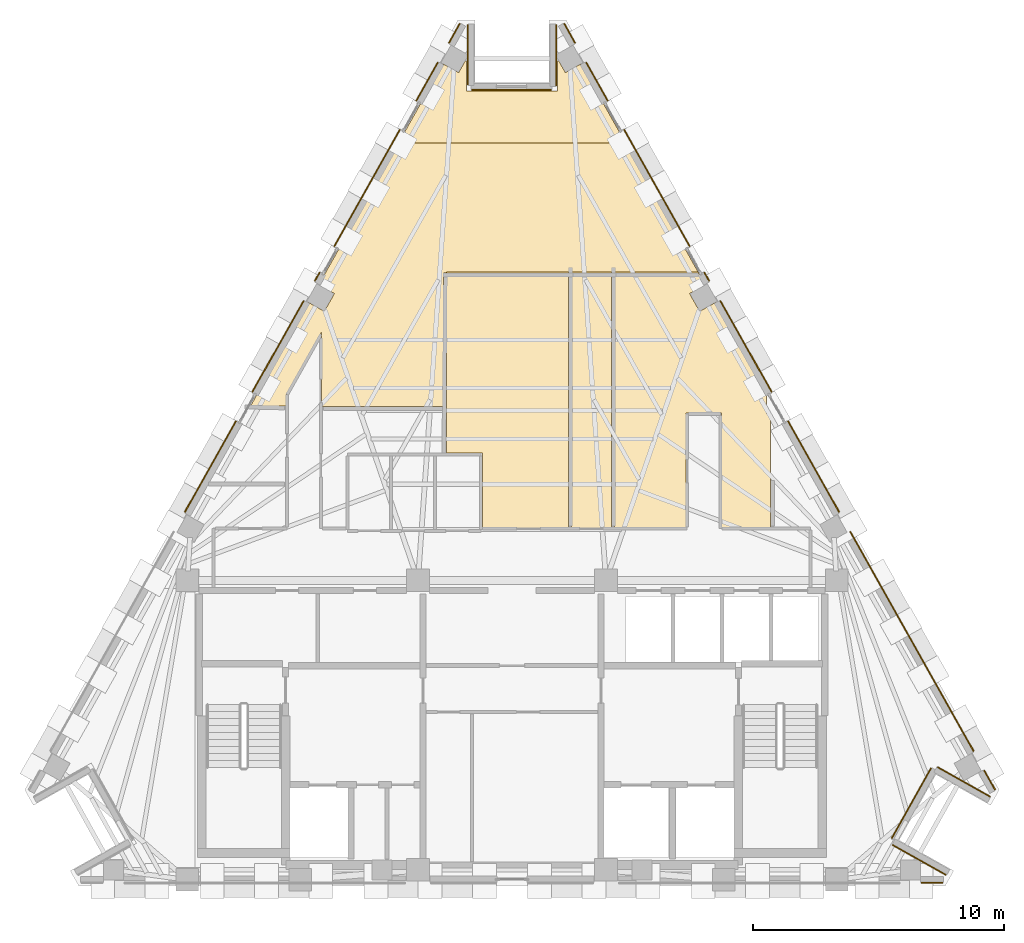
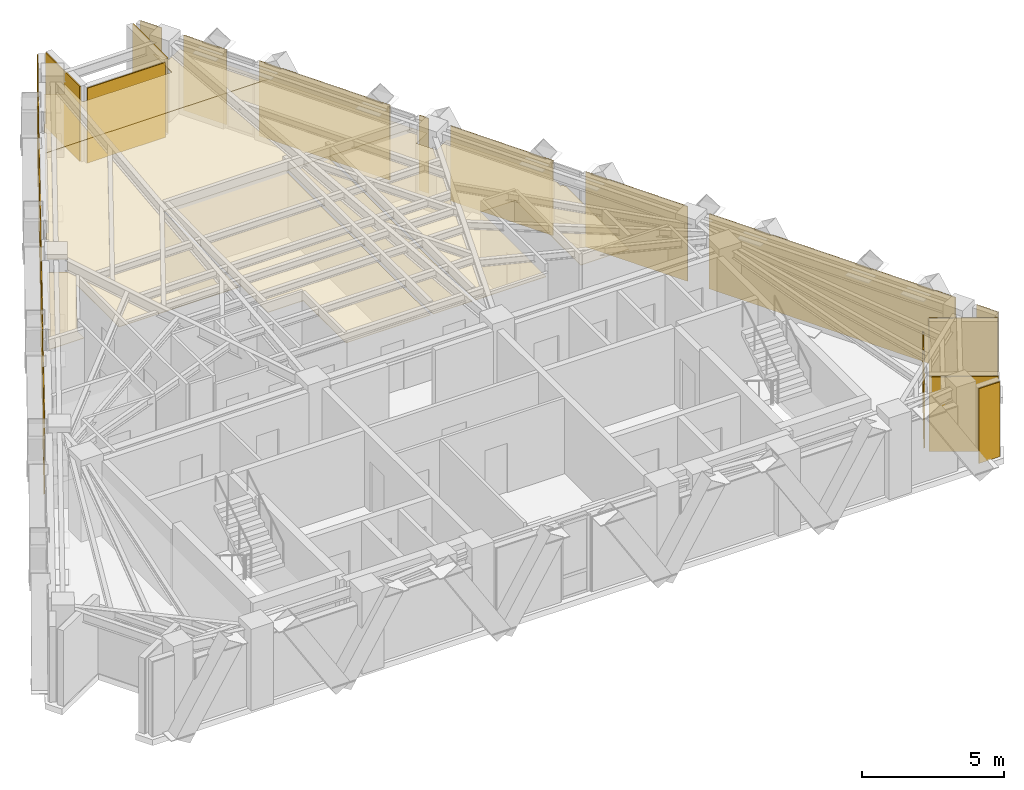
# One storey, part 9 of 9: 26 coverings.
"""IFC4 building model written with IfcOpenShell, lengths in metres."""

from ifc_helpers import new_model, si_unit, direction, frame, origin, place, context, subcontext, project, spatial, polyline, outline, extrude, material, layer, layer_set, type_object, element, save


model = new_model("IFC4")

# Units and contexts
model_context = context("Model", 3, precision=1e-05, world=origin(), true_north=direction((0.0, 1.0)))
body_context = subcontext(model_context, "Body", "Model", "MODEL_VIEW")
ifc_project = project(units=[si_unit("LENGTHUNIT", "METRE"), si_unit("AREAUNIT", "SQUARE_METRE"), si_unit("VOLUMEUNIT", "CUBIC_METRE"), si_unit("PLANEANGLEUNIT", "RADIAN"), si_unit("MASSUNIT", "GRAM", prefix="KILO")], contexts=[model_context])

# Site, building, storey
site_placement = place(None, origin())
site = spatial("IfcSite", under=ifc_project, at=site_placement, CompositionType="ELEMENT")
building_placement = place(site_placement, origin())
building = spatial("IfcBuilding", under=site, at=building_placement, Name="Quenlor Broadcast Tower", CompositionType="ELEMENT")
storey_placement = place(building_placement, frame((0.0, 0.0, 249.89990234375)))
storey = spatial("IfcBuildingStorey", under=building, at=storey_placement, Name="L69", CompositionType="ELEMENT", Elevation=249.89990234375)

# Coverings
ifc_material_1 = material(Name="Acoustic Mineral Fibre Board", Category="other")
ifc_layer_1 = layer(ifc_material_1, 0.02490234375)
ifc_layer_set_1 = layer_set([ifc_layer_1], Name="Acoustic Perforated Mineral Tile Ceiling 25")
covering_type_1 = type_object("IfcCoveringType", Name="Acoustic Perforated Mineral Tile Ceiling 25", PredefinedType="CEILING", material=ifc_layer_set_1)
covering_1_placement = place(storey_placement, frame((0.0, 0.0, 2.714599609375)))
element("IfcCovering", 1, at=covering_1_placement, inside=storey, type_object=covering_type_1, Name="L69 Acoustic Ceiling L69-24", PredefinedType="CEILING", context=body_context, shape_type="SweptSolid", body=[
    extrude(outline(polyline([(-7.48583984375, 5.93359375), (-7.0859375, 6.64501953125), (-7.711669921875, 6.996826171875), (-6.462158203125, 9.218017578125), (-4.53173828125, 12.64990234375), (4.53173828125, 12.64990234375), (7.4345703125, 7.489501953125), (7.419189453125, 7.481689453125), (7.390625, 7.472900390625), (7.361083984375, 7.469970703125), (4.080078125, 7.469970703125), (4.05078125, 7.472900390625), (4.022705078125, 7.4814453125), (4.00341796875, 7.4765625), (3.974609375, 7.470703125), (-2.6201171875, 7.469970703125), (-2.6494140625, 7.472900390625), (-2.677490234375, 7.4814453125), (-2.696533203125, 7.4765625), (-2.725341796875, 7.470703125), (-2.739990234375, 2.13720703125), (-7.60009765625, 2.13720703125), (-7.60009765625, 5.114990234375), (-9.0, 2.6259765625), (-9.0, 2.159912109375), (-10.432373046875, 2.159912109375), (-8.11181640625, 6.28564453125), (-7.48583984375, 5.93359375)])), origin(), (0.0, 0.0, 1.0), 0.025146484375),
])
covering_2_placement = place(storey_placement, frame((0.0, 0.0, 2.714599609375)))
element("IfcCovering", 2, at=covering_2_placement, inside=storey, type_object=covering_type_1, Name="L69 Acoustic Ceiling L69-24-2", PredefinedType="CEILING", context=body_context, shape_type="SweptSolid", body=[
    extrude(outline(polyline([(-2.77001953125, 15.781982421875), (-2.7548828125, 15.808837890625), (-2.129150390625, 15.456787109375), (-1.808837890625, 16.0263671875), (-1.808837890625, 14.719970703125), (1.808837890625, 14.719970703125), (1.808837890625, 16.0263671875), (2.129150390625, 15.456787109375), (2.7548828125, 15.808837890625), (4.006591796875, 13.583740234375), (4.53173828125, 12.64990234375), (-4.53173828125, 12.64990234375), (-2.77001953125, 15.781982421875)])), origin(), (0.0, 0.0, 1.0), 0.025146484375),
])
covering_3_placement = place(storey_placement, frame((0.0, 0.0, 2.714599609375)))
element("IfcCovering", 3, at=covering_3_placement, inside=storey, type_object=covering_type_1, Name="L69 Acoustic Ceiling L69-25", PredefinedType="CEILING", context=body_context, shape_type="SweptSolid", body=[
    extrude(outline(polyline([(2.24755859375, 7.5), (2.24755859375, -2.699951171875), (-1.179931640625, -2.699951171875), (-1.179931640625, 0.2900390625), (-2.6201171875, 0.2900390625), (-2.6201171875, 7.5), (2.24755859375, 7.5)])), origin(), (0.0, 0.0, 1.0), 0.025146484375),
])
covering_4_placement = place(storey_placement, frame((0.0, 0.0, 2.714599609375)))
element("IfcCovering", 4, at=covering_4_placement, inside=storey, type_object=covering_type_1, Name="L69 Acoustic Ceiling L69-26", PredefinedType="CEILING", context=body_context, shape_type="SweptSolid", body=[
    extrude(outline(polyline([(2.36767578125, 7.5), (3.9599609375, 7.5), (3.9599609375, -2.699951171875), (2.36767578125, -2.699951171875), (2.36767578125, 7.5)])), origin(), (0.0, 0.0, 1.0), 0.025146484375),
])
covering_5_placement = place(storey_placement, frame((0.0, 0.0, 2.714599609375)))
element("IfcCovering", 5, at=covering_5_placement, inside=storey, type_object=covering_type_1, Name="L69 Acoustic Ceiling L69-27", PredefinedType="CEILING", context=body_context, shape_type="SweptSolid", body=[
    extrude(outline(polyline([(4.080078125, -2.699951171875), (4.080078125, 7.5), (7.4287109375, 7.5), (7.711669921875, 6.996826171875), (7.0859375, 6.64501953125), (7.48583984375, 5.93359375), (8.11181640625, 6.28564453125), (10.159912109375, 2.644287109375), (10.159912109375, 1.85009765625), (10.189208984375, 1.84716796875), (10.21728515625, 1.838623046875), (10.243408203125, 1.82470703125), (10.26611328125, 1.80615234375), (10.28466796875, 1.783203125), (10.298583984375, 1.75732421875), (10.30712890625, 1.729248046875), (10.31005859375, 1.699951171875), (10.31005859375, -2.699951171875), (8.35009765625, -2.699951171875), (8.35009765625, 1.85009765625), (8.35009765625, 1.8798828125), (6.949951171875, 1.8798828125), (6.949951171875, -2.699951171875), (4.080078125, -2.699951171875)])), origin(), (0.0, 0.0, 1.0), 0.025146484375),
])
ifc_material_2 = material(Name="Architectural Terracotta Ceramic", Category="masonry")
ifc_layer_2 = layer(ifc_material_2, 0.044921875)
ifc_layer_set_2 = layer_set([ifc_layer_2], Name="Fluted Terracotta Rainscreen Cladding Panel")
covering_type_2 = type_object("IfcCoveringType", Name="Fluted Terracotta Rainscreen Cladding Panel", PredefinedType="CLADDING", material=ifc_layer_set_2)
covering_6_placement = place(storey_placement, frame((0.0, 0.0, 0.02001953125)))
element("IfcCovering", 6, at=covering_6_placement, inside=storey, type_object=covering_type_2, Name="L69 Terracotta Rainscreen Cladding L69-SHD-SS0", PredefinedType="CLADDING", context=body_context, shape_type="SweptSolid", body=[
    extrude(outline(polyline([(17.18994140625, -16.8369140625), (16.33251953125, -16.8369140625), (16.33251953125, -16.882080078125), (17.18994140625, -16.882080078125), (17.18994140625, -16.8369140625)])), origin(), (0.0, 0.0, 1.0), 3.2099609375),
])
covering_7_placement = place(storey_placement, frame((0.0, 0.0, 0.02001953125)))
element("IfcCovering", 7, at=covering_7_placement, inside=storey, type_object=covering_type_2, Name="L69 Terracotta Rainscreen Cladding L69-SHD-NES0", PredefinedType="CLADDING", context=body_context, shape_type="SweptSolid", body=[
    extrude(outline(polyline([(2.06201171875, 17.401611328125), (2.495849609375, 16.630615234375), (2.534912109375, 16.652587890625), (2.101318359375, 17.423583984375), (2.06201171875, 17.401611328125)])), origin(), (0.0, 0.0, 1.0), 3.2099609375),
])
covering_8_placement = place(storey_placement, frame((0.0, 0.0, 0.02001953125)))
element("IfcCovering", 8, at=covering_8_placement, inside=storey, type_object=covering_type_2, Name="L69 Terracotta Rainscreen Cladding L69-SHD-NES1", PredefinedType="CLADDING", context=body_context, shape_type="SweptSolid", body=[
    extrude(outline(polyline([(18.820068359375, -12.39013671875), (19.25390625, -13.161376953125), (19.29296875, -13.139404296875), (18.859130859375, -12.3681640625), (18.820068359375, -12.39013671875)])), origin(), (0.0, 0.0, 1.0), 3.2099609375),
])
covering_9_placement = place(storey_placement, frame((0.0, 0.0, 0.02001953125)))
element("IfcCovering", 9, at=covering_9_placement, inside=storey, type_object=covering_type_2, Name="L69 Terracotta Rainscreen Cladding L69-NEA-SP1", PredefinedType="CLADDING", context=body_context, shape_type="SweptSolid", body=[
    extrude(outline(polyline([(2.94091796875, 15.859619140625), (3.8037109375, 14.325927734375), (3.8427734375, 14.347900390625), (2.980224609375, 15.881591796875), (2.94091796875, 15.859619140625)])), origin(), (0.0, 0.0, 1.0), 3.2099609375),
])
covering_10_placement = place(storey_placement, frame((0.0, 0.0, 0.02001953125)))
element("IfcCovering", 10, at=covering_10_placement, inside=storey, type_object=covering_type_2, Name="L69 Terracotta Rainscreen Cladding L69-NEA-SP2", PredefinedType="CLADDING", context=body_context, shape_type="SweptSolid", body=[
    extrude(outline(polyline([(4.450927734375, 13.17529296875), (7.0732421875, 8.51318359375), (7.1123046875, 8.53515625), (4.490234375, 13.197265625), (4.450927734375, 13.17529296875)])), origin(), (0.0, 0.0, 1.0), 3.2099609375),
])
covering_11_placement = place(storey_placement, frame((0.0, 0.0, 0.02001953125)))
element("IfcCovering", 11, at=covering_11_placement, inside=storey, type_object=covering_type_2, Name="L69 Terracotta Rainscreen Cladding L69-NEA-SP3", PredefinedType="CLADDING", context=body_context, shape_type="SweptSolid", body=[
    extrude(outline(polyline([(7.655517578125, 7.478271484375), (7.8515625, 7.129638671875), (7.890625, 7.151611328125), (7.694580078125, 7.500244140625), (7.655517578125, 7.478271484375)])), origin(), (0.0, 0.0, 1.0), 3.2099609375),
])
covering_12_placement = place(storey_placement, frame((0.0, 0.0, 0.02001953125)))
element("IfcCovering", 12, at=covering_12_placement, inside=storey, type_object=covering_type_2, Name="L69 Terracotta Rainscreen Cladding L69-EW-NEC", PredefinedType="CLADDING", context=body_context, shape_type="SweptSolid", body=[
    extrude(outline(polyline([(13.471923828125, -2.862060546875), (18.402099609375, -11.626953125), (18.44140625, -11.60498046875), (13.51123046875, -2.840087890625), (13.471923828125, -2.862060546875)])), origin(), (0.0, 0.0, 1.0), 3.2099609375),
])
covering_13_placement = place(storey_placement, frame((0.0, 0.0, 0.02001953125)))
element("IfcCovering", 13, at=covering_13_placement, inside=storey, type_object=covering_type_2, Name="L69 Terracotta Rainscreen Cladding L69-NE-SP1", PredefinedType="CLADDING", context=body_context, shape_type="SweptSolid", body=[
    extrude(outline(polyline([(8.295166015625, 6.3408203125), (10.343017578125, 2.700439453125), (10.382080078125, 2.722412109375), (8.33447265625, 6.36279296875), (8.295166015625, 6.3408203125)])), origin(), (0.0, 0.0, 1.0), 3.2099609375),
])
covering_14_placement = place(storey_placement, frame((0.0, 0.0, 0.02001953125)))
element("IfcCovering", 14, at=covering_14_placement, inside=storey, type_object=covering_type_2, Name="L69 Terracotta Rainscreen Cladding L69-NE-SP2", PredefinedType="CLADDING", context=body_context, shape_type="SweptSolid", body=[
    extrude(outline(polyline([(10.990234375, 1.5498046875), (13.0380859375, -2.0908203125), (13.0771484375, -2.068603515625), (11.029541015625, 1.57177734375), (10.990234375, 1.5498046875)])), origin(), (0.0, 0.0, 1.0), 3.2099609375),
])
covering_15_placement = place(storey_placement, frame((0.0, 0.0, 0.02001953125)))
element("IfcCovering", 15, at=covering_15_placement, inside=storey, type_object=covering_type_2, Name="L69 Terracotta Rainscreen Cladding L69-SHD-NWS1", PredefinedType="CLADDING", context=body_context, shape_type="SweptSolid", body=[
    extrude(outline(polyline([(-2.495849609375, 16.630615234375), (-2.06201171875, 17.401611328125), (-2.101318359375, 17.423583984375), (-2.534912109375, 16.652587890625), (-2.495849609375, 16.630615234375)])), origin(), (0.0, 0.0, 1.0), 3.2099609375),
])
covering_16_placement = place(storey_placement, frame((0.0, 0.0, 0.02001953125)))
element("IfcCovering", 16, at=covering_16_placement, inside=storey, type_object=covering_type_2, Name="L69 Terracotta Rainscreen Cladding L69-NWC-SP1", PredefinedType="CLADDING", context=body_context, shape_type="SweptSolid", body=[
    extrude(outline(polyline([(-7.8515625, 7.129638671875), (-7.655517578125, 7.478271484375), (-7.694580078125, 7.500244140625), (-7.890625, 7.151611328125), (-7.8515625, 7.129638671875)])), origin(), (0.0, 0.0, 1.0), 3.2099609375),
])
covering_17_placement = place(storey_placement, frame((0.0, 0.0, 0.02001953125)))
element("IfcCovering", 17, at=covering_17_placement, inside=storey, type_object=covering_type_2, Name="L69 Terracotta Rainscreen Cladding L69-NWC-SP2", PredefinedType="CLADDING", context=body_context, shape_type="SweptSolid", body=[
    extrude(outline(polyline([(-7.0732421875, 8.51318359375), (-4.450927734375, 13.17529296875), (-4.490234375, 13.197265625), (-7.1123046875, 8.53515625), (-7.0732421875, 8.51318359375)])), origin(), (0.0, 0.0, 1.0), 3.2099609375),
])
covering_18_placement = place(storey_placement, frame((0.0, 0.0, 0.02001953125)))
element("IfcCovering", 18, at=covering_18_placement, inside=storey, type_object=covering_type_2, Name="L69 Terracotta Rainscreen Cladding L69-NWC-SP3", PredefinedType="CLADDING", context=body_context, shape_type="SweptSolid", body=[
    extrude(outline(polyline([(-3.8037109375, 14.325927734375), (-2.94091796875, 15.859619140625), (-2.980224609375, 15.881591796875), (-3.8427734375, 14.347900390625), (-3.8037109375, 14.325927734375)])), origin(), (0.0, 0.0, 1.0), 3.2099609375),
])
covering_19_placement = place(storey_placement, frame((0.0, 0.0, 0.02001953125)))
element("IfcCovering", 19, at=covering_19_placement, inside=storey, type_object=covering_type_2, Name="L69 Terracotta Rainscreen Cladding L69-NW-SP1", PredefinedType="CLADDING", context=body_context, shape_type="SweptSolid", body=[
    extrude(outline(polyline([(-13.0380859375, -2.0908203125), (-10.990234375, 1.5498046875), (-11.029541015625, 1.57177734375), (-13.0771484375, -2.068603515625), (-13.0380859375, -2.0908203125)])), origin(), (0.0, 0.0, 1.0), 3.2099609375),
])
covering_20_placement = place(storey_placement, frame((0.0, 0.0, 0.02001953125)))
element("IfcCovering", 20, at=covering_20_placement, inside=storey, type_object=covering_type_2, Name="L69 Terracotta Rainscreen Cladding L69-NW-SP2", PredefinedType="CLADDING", context=body_context, shape_type="SweptSolid", body=[
    extrude(outline(polyline([(-10.343017578125, 2.700439453125), (-8.295166015625, 6.3408203125), (-8.33447265625, 6.36279296875), (-10.382080078125, 2.722412109375), (-10.343017578125, 2.700439453125)])), origin(), (0.0, 0.0, 1.0), 3.2099609375),
])
covering_21_placement = place(storey_placement, frame((0.0, 0.0, 0.02001953125)))
element("IfcCovering", 21, at=covering_21_placement, inside=storey, type_object=covering_type_2, Name="L69 Terracotta Rainscreen Cladding L69-CNR-01", PredefinedType="CLADDING", context=body_context, shape_type="SweptSolid", body=[
    extrude(outline(polyline([(17.32666015625, -16.529541015625), (15.199951171875, -15.333251953125), (15.177978515625, -15.372314453125), (17.3046875, -16.568603515625), (17.32666015625, -16.529541015625)])), origin(), (0.0, 0.0, 1.0), 3.2099609375),
])
covering_22_placement = place(storey_placement, frame((0.0, 0.0, 0.02001953125)))
element("IfcCovering", 22, at=covering_22_placement, inside=storey, type_object=covering_type_2, Name="L69 Terracotta Rainscreen Cladding L69-CNR-02", PredefinedType="CLADDING", context=body_context, shape_type="SweptSolid", body=[
    extrude(outline(polyline([(15.16552734375, -15.10498046875), (16.7421875, -12.302001953125), (16.702880859375, -12.280029296875), (15.126220703125, -15.0830078125), (15.16552734375, -15.10498046875)])), origin(), (0.0, 0.0, 1.0), 2.749755859375),
])
covering_23_placement = place(storey_placement, frame((0.0, 0.0, 0.02001953125)))
element("IfcCovering", 23, at=covering_23_placement, inside=storey, type_object=covering_type_2, Name="L69 Terracotta Rainscreen Cladding L69-CNR-03", PredefinedType="CLADDING", context=body_context, shape_type="SweptSolid", body=[
    extrude(outline(polyline([(16.970458984375, -12.267578125), (19.062255859375, -13.444091796875), (19.084228515625, -13.405029296875), (16.992431640625, -12.228271484375), (16.970458984375, -12.267578125)])), origin(), (0.0, 0.0, 1.0), 3.2099609375),
])
covering_24_placement = place(storey_placement, frame((0.0, 0.0, 0.02001953125)))
element("IfcCovering", 24, at=covering_24_placement, inside=storey, type_object=covering_type_2, Name="L69 Terracotta Rainscreen Cladding L69-CNR-07", PredefinedType="CLADDING", context=body_context, shape_type="SweptSolid", body=[
    extrude(outline(polyline([(1.74072265625, 17.3701171875), (1.74072265625, 14.929931640625), (1.785888671875, 14.929931640625), (1.785888671875, 17.3701171875), (1.74072265625, 17.3701171875)])), origin(), (0.0, 0.0, 1.0), 3.2099609375),
])
covering_25_placement = place(storey_placement, frame((0.0, 0.0, 0.02001953125)))
element("IfcCovering", 25, at=covering_25_placement, inside=storey, type_object=covering_type_2, Name="L69 Terracotta Rainscreen Cladding L69-CNR-08", PredefinedType="CLADDING", context=body_context, shape_type="SweptSolid", body=[
    extrude(outline(polyline([(1.558837890625, 14.7880859375), (-1.598876953125, 14.7880859375), (-1.598876953125, 14.742919921875), (1.558837890625, 14.742919921875), (1.558837890625, 14.7880859375)])), origin(), (0.0, 0.0, 1.0), 3.2099609375),
])
covering_26_placement = place(storey_placement, frame((0.0, 0.0, 0.02001953125)))
element("IfcCovering", 26, at=covering_26_placement, inside=storey, type_object=covering_type_2, Name="L69 Terracotta Rainscreen Cladding L69-CNR-09", PredefinedType="CLADDING", context=body_context, shape_type="SweptSolid", body=[
    extrude(outline(polyline([(-1.74072265625, 14.969970703125), (-1.74072265625, 17.3701171875), (-1.785888671875, 17.3701171875), (-1.785888671875, 14.969970703125), (-1.74072265625, 14.969970703125)])), origin(), (0.0, 0.0, 1.0), 3.2099609375),
])

save(model, "model.ifc")
